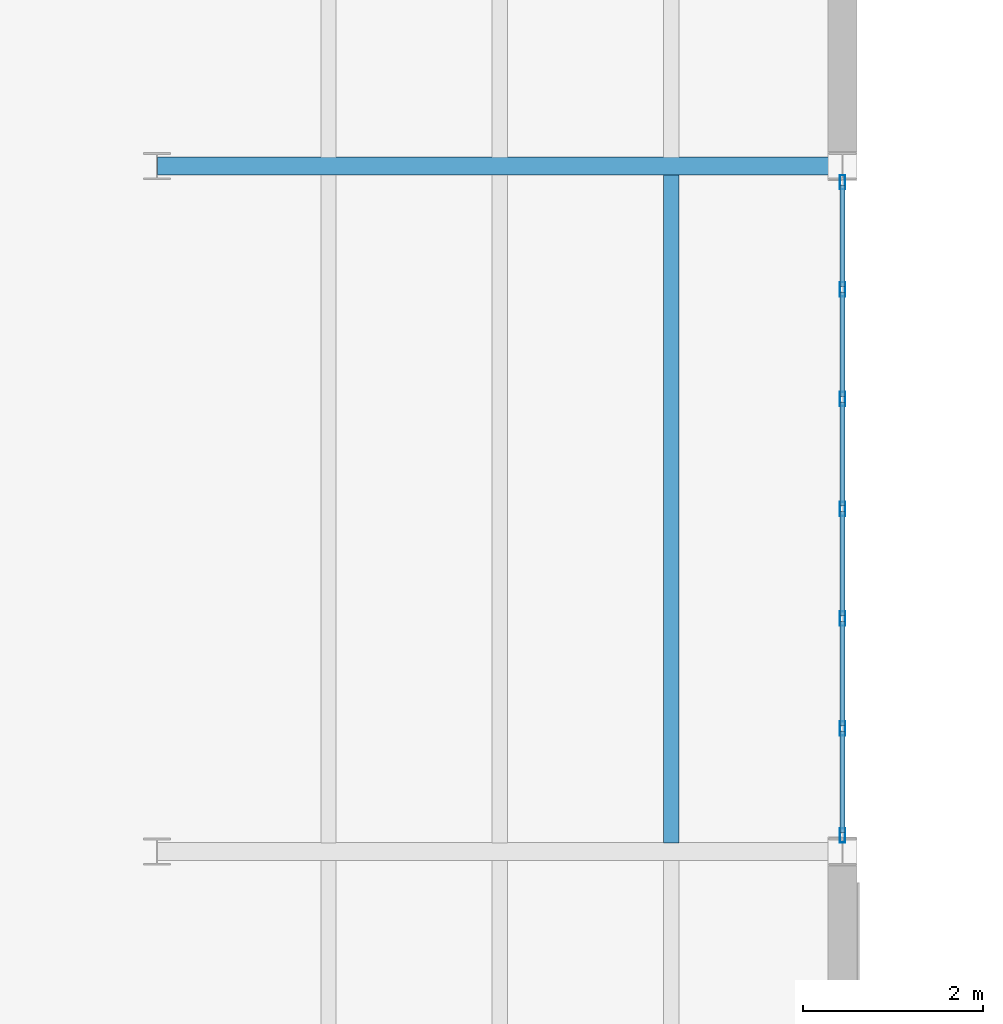
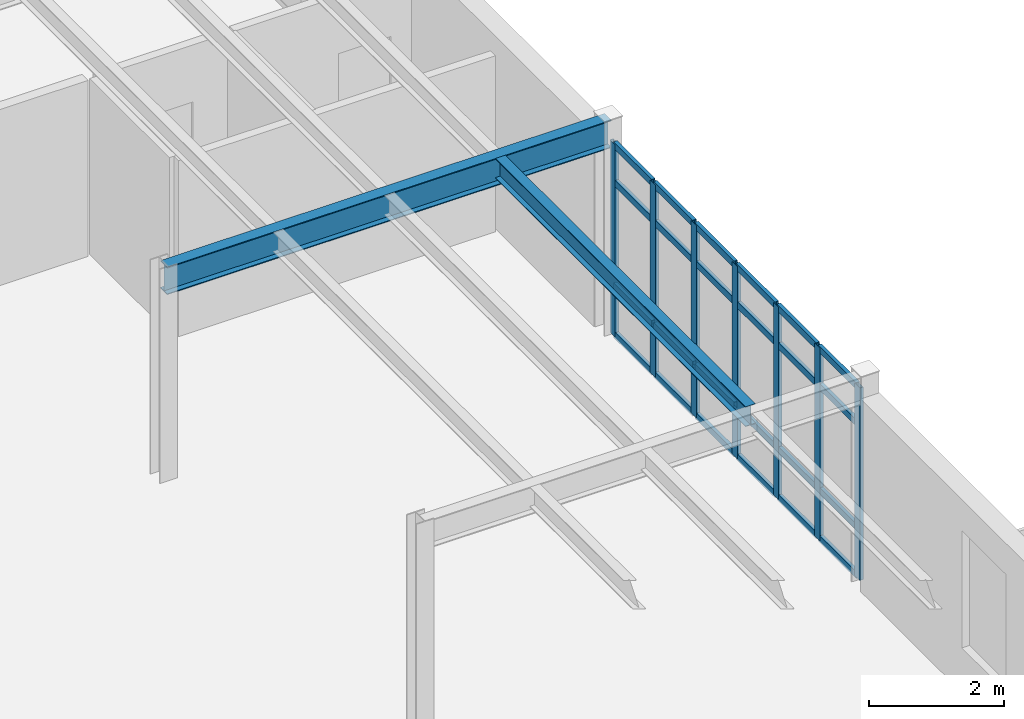
# One storey, part 34 of 114: 31 members, 2 beams, 1 element without a shape of its own.
"""IFC4 building model written with IfcOpenShell, lengths in metres."""

from ifc_helpers import new_model, si_unit, direction, frame, origin, origin_2d, place, context, subcontext, project, spatial, hollow_rectangle, i_section, extrude, material, layer, layer_set, material_profile, profile_set, type_object, element, aggregate, save


model = new_model("IFC4")

# Units and contexts
model_context = context("Model", 3, precision=1e-05, world=origin(), true_north=direction((0.0, 1.0)))
body_context = subcontext(model_context, "Body", "Model", "MODEL_VIEW")
ifc_project = project(units=[si_unit("LENGTHUNIT", "METRE"), si_unit("AREAUNIT", "SQUARE_METRE"), si_unit("VOLUMEUNIT", "CUBIC_METRE"), si_unit("PLANEANGLEUNIT", "RADIAN"), si_unit("MASSUNIT", "GRAM", prefix="KILO")], contexts=[model_context])

# Site, building, storey
site_placement = place(None, origin())
site = spatial("IfcSite", under=ifc_project, at=site_placement, CompositionType="ELEMENT")
building_placement = place(site_placement, origin())
building = spatial("IfcBuilding", under=site, at=building_placement, Name="Montecoro Central Library", CompositionType="ELEMENT")
storey_placement = place(building_placement, frame((0.0, 0.0, 13.260009765625)))
storey = spatial("IfcBuildingStorey", under=building, at=storey_placement, Name="L03", CompositionType="ELEMENT", Elevation=13.260009765625)

# Beams
ifc_material_1 = material(Name="Steel S355", Category="steel")
ifc_material_profile_1 = material_profile(ifc_material_1, i_section(OverallWidth=0.199951171875, OverallDepth=0.5, WebThickness=0.01025390625, FlangeThickness=0.01611328125, at=origin_2d()), Name="IPE 500")
ifc_profile_set_1 = profile_set([ifc_material_profile_1], Name="Steel S355")
beam_type_1 = type_object("IfcBeamType", Name="BM-G-IPE500", PredefinedType="USERDEFINED", material=ifc_profile_set_1)
beam_1_placement = place(storey_placement, frame((35.405029296875, 96.199951171875, 3.574951171875), z_axis=(1.0, 0.0, 0.0), x_axis=(0.0, 1.0, 0.0)))
element("IfcBeam", 1, at=beam_1_placement, inside=storey, type_object=beam_type_1, Name="V4-L03-BX-56-N", ObjectType="GIRDER", PredefinedType="USERDEFINED", context=body_context, shape_type="SweptSolid", body=[
    extrude(i_section(OverallWidth=0.199951171875, OverallDepth=0.5, WebThickness=0.01025390625, FlangeThickness=0.01611328125, at=origin_2d()), origin(), (0.0, 0.0, 1.0), 7.590087890625),
])
ifc_material_profile_2 = material_profile(ifc_material_1, i_section(OverallWidth=0.169921875, OverallDepth=0.360107421875, WebThickness=0.008056640625, FlangeThickness=0.0126953125, at=origin_2d()), Name="IPE 360")
ifc_profile_set_2 = profile_set([ifc_material_profile_2], Name="Steel S355")
beam_type_2 = type_object("IfcBeamType", Name="BM-J-IPE360", PredefinedType="JOIST", material=ifc_profile_set_2)
beam_2_placement = place(storey_placement, frame((41.10009765625, 88.697021484375, 3.64501953125), z_axis=(0.0, 1.0, 0.0), x_axis=(-1.0, 0.0, 0.0)))
element("IfcBeam", 2, at=beam_2_placement, inside=storey, type_object=beam_type_2, Name="V4-L03-JS-56-MN-3", PredefinedType="JOIST", context=body_context, shape_type="SweptSolid", body=[
    extrude(i_section(OverallWidth=0.169921875, OverallDepth=0.360107421875, WebThickness=0.008056640625, FlangeThickness=0.0126953125, at=origin_2d()), origin(), (0.0, 0.0, 1.0), 7.406005859375),
])

# Curtain wall, members
ifc_material_2 = material(Name="Bronze-anodised aluminium and low-E glazing", Category="aluminium")
ifc_layer = layer(ifc_material_2, 0.159912109375)
ifc_layer_set = layer_set([ifc_layer], Name="Bronze-anodised aluminium and low-E glazing")
curtain_wall_type = type_object("IfcCurtainWallType", Name="CWT-050", PredefinedType="NOTDEFINED", material=ifc_layer_set)
curtain_wall_placement = place(storey_placement, origin())
curtain_wall = element("IfcCurtainWall", 3, at=curtain_wall_placement, inside=storey, type_object=curtain_wall_type, Name="V4-L03-CW-E1", PredefinedType="NOTDEFINED")
ifc_material_3 = material(Name="Bronze-anodised aluminium", Category="aluminium")
ifc_material_profile_3 = material_profile(ifc_material_3, hollow_rectangle(XDim=0.06005859375, YDim=0.159912109375, WallThickness=0.00390625, at=origin_2d()), Name="CWM 160x60x4.0")
ifc_profile_set_3 = profile_set([ifc_material_profile_3], Name="Bronze-anodised aluminium")
member_type_1 = type_object("IfcMemberType", Name="CWM-BRZ-60", PredefinedType="MULLION", material=ifc_profile_set_3)
member_1_placement = place(storey_placement, frame((43.0, 88.778076171875, 0.0), z_axis=(0.0, 0.0, 1.0), x_axis=(-1.0, 0.0, 0.0)))
member_1 = element("IfcMember", 4, at=member_1_placement, type_object=member_type_1, Name="CW-050 mullion 1", PredefinedType="MULLION", context=body_context, shape_type="SweptSolid", body=[
    extrude(hollow_rectangle(XDim=0.06005859375, YDim=0.159912109375, WallThickness=0.00390625, at=origin_2d()), origin(), (0.0, 0.0, 1.0), 3.47998046875),
])
member_2_placement = place(storey_placement, frame((43.0, 89.96533203125, 0.0), z_axis=(0.0, 0.0, 1.0), x_axis=(-1.0, 0.0, 0.0)))
member_2 = element("IfcMember", 5, at=member_2_placement, type_object=member_type_1, Name="CW-050 mullion 2", PredefinedType="MULLION", context=body_context, shape_type="SweptSolid", body=[
    extrude(hollow_rectangle(XDim=0.06005859375, YDim=0.159912109375, WallThickness=0.00390625, at=origin_2d()), origin(), (0.0, 0.0, 1.0), 3.47998046875),
])
member_3_placement = place(storey_placement, frame((43.0, 91.1826171875, 0.0), z_axis=(0.0, 0.0, 1.0), x_axis=(-1.0, 0.0, 0.0)))
member_3 = element("IfcMember", 6, at=member_3_placement, type_object=member_type_1, Name="CW-050 mullion 3", PredefinedType="MULLION", context=body_context, shape_type="SweptSolid", body=[
    extrude(hollow_rectangle(XDim=0.06005859375, YDim=0.159912109375, WallThickness=0.00390625, at=origin_2d()), origin(), (0.0, 0.0, 1.0), 3.47998046875),
])
member_4_placement = place(storey_placement, frame((43.0, 92.39990234375, 0.0), z_axis=(0.0, 0.0, 1.0), x_axis=(-1.0, 0.0, 0.0)))
member_4 = element("IfcMember", 7, at=member_4_placement, type_object=member_type_1, Name="CW-050 mullion 4", PredefinedType="MULLION", context=body_context, shape_type="SweptSolid", body=[
    extrude(hollow_rectangle(XDim=0.06005859375, YDim=0.159912109375, WallThickness=0.00390625, at=origin_2d()), origin(), (0.0, 0.0, 1.0), 3.47998046875),
])
member_5_placement = place(storey_placement, frame((43.0, 93.617431640625, 0.0), z_axis=(0.0, 0.0, 1.0), x_axis=(-1.0, 0.0, 0.0)))
member_5 = element("IfcMember", 8, at=member_5_placement, type_object=member_type_1, Name="CW-050 mullion 5", PredefinedType="MULLION", context=body_context, shape_type="SweptSolid", body=[
    extrude(hollow_rectangle(XDim=0.06005859375, YDim=0.159912109375, WallThickness=0.00390625, at=origin_2d()), origin(), (0.0, 0.0, 1.0), 3.47998046875),
])
member_6_placement = place(storey_placement, frame((43.0, 94.834716796875, 0.0), z_axis=(0.0, 0.0, 1.0), x_axis=(-1.0, 0.0, 0.0)))
member_6 = element("IfcMember", 9, at=member_6_placement, type_object=member_type_1, Name="CW-050 mullion 6", PredefinedType="MULLION", context=body_context, shape_type="SweptSolid", body=[
    extrude(hollow_rectangle(XDim=0.06005859375, YDim=0.159912109375, WallThickness=0.00390625, at=origin_2d()), origin(), (0.0, 0.0, 1.0), 3.47998046875),
])
member_7_placement = place(storey_placement, frame((43.0, 96.02197265625, 0.0), z_axis=(0.0, 0.0, 1.0), x_axis=(-1.0, 0.0, 0.0)))
member_7 = element("IfcMember", 10, at=member_7_placement, type_object=member_type_1, Name="CW-050 mullion 7", PredefinedType="MULLION", context=body_context, shape_type="SweptSolid", body=[
    extrude(hollow_rectangle(XDim=0.06005859375, YDim=0.159912109375, WallThickness=0.00390625, at=origin_2d()), origin(), (0.0, 0.0, 1.0), 3.47998046875),
])
ifc_material_profile_4 = material_profile(ifc_material_3, hollow_rectangle(XDim=0.06005859375, YDim=0.1201171875, WallThickness=0.00390625, at=origin_2d()), Name="CWT 120x60x4.0")
ifc_profile_set_4 = profile_set([ifc_material_profile_4], Name="Bronze-anodised aluminium")
member_type_2 = type_object("IfcMemberType", Name="CWT-BRZ-60", PredefinedType="USERDEFINED", material=ifc_profile_set_4)
member_8_placement = place(storey_placement, frame((43.0, 88.80810546875, 0.030029296875), z_axis=(0.0, 1.0, 0.0), x_axis=(-1.0, 0.0, 0.0)))
member_8 = element("IfcMember", 11, at=member_8_placement, type_object=member_type_2, Name="CW-050 transom 1.1", ObjectType="TRANSOM", PredefinedType="USERDEFINED", context=body_context, shape_type="SweptSolid", body=[
    extrude(hollow_rectangle(XDim=0.06005859375, YDim=0.1201171875, WallThickness=0.00390625, at=origin_2d()), origin(), (0.0, 0.0, 1.0), 1.127197265625),
])
member_9_placement = place(storey_placement, frame((43.0, 88.80810546875, 0.89990234375), z_axis=(0.0, 1.0, 0.0), x_axis=(-1.0, 0.0, 0.0)))
member_9 = element("IfcMember", 12, at=member_9_placement, type_object=member_type_2, Name="CW-050 transom 1.2", ObjectType="TRANSOM", PredefinedType="USERDEFINED", context=body_context, shape_type="SweptSolid", body=[
    extrude(hollow_rectangle(XDim=0.06005859375, YDim=0.1201171875, WallThickness=0.00390625, at=origin_2d()), origin(), (0.0, 0.0, 1.0), 1.127197265625),
])
member_10_placement = place(storey_placement, frame((43.0, 88.80810546875, 2.780029296875), z_axis=(0.0, 1.0, 0.0), x_axis=(-1.0, 0.0, 0.0)))
member_10 = element("IfcMember", 13, at=member_10_placement, type_object=member_type_2, Name="CW-050 transom 1.3", ObjectType="TRANSOM", PredefinedType="USERDEFINED", context=body_context, shape_type="SweptSolid", body=[
    extrude(hollow_rectangle(XDim=0.06005859375, YDim=0.1201171875, WallThickness=0.00390625, at=origin_2d()), origin(), (0.0, 0.0, 1.0), 1.127197265625),
])
member_11_placement = place(storey_placement, frame((43.0, 88.80810546875, 3.449951171875), z_axis=(0.0, 1.0, 0.0), x_axis=(-1.0, 0.0, 0.0)))
member_11 = element("IfcMember", 14, at=member_11_placement, type_object=member_type_2, Name="CW-050 transom 1.4", ObjectType="TRANSOM", PredefinedType="USERDEFINED", context=body_context, shape_type="SweptSolid", body=[
    extrude(hollow_rectangle(XDim=0.06005859375, YDim=0.1201171875, WallThickness=0.00390625, at=origin_2d()), origin(), (0.0, 0.0, 1.0), 1.127197265625),
])
member_12_placement = place(storey_placement, frame((43.0, 89.995361328125, 0.030029296875), z_axis=(0.0, 1.0, 0.0), x_axis=(-1.0, 0.0, 0.0)))
member_12 = element("IfcMember", 15, at=member_12_placement, type_object=member_type_2, Name="CW-050 transom 2.1", ObjectType="TRANSOM", PredefinedType="USERDEFINED", context=body_context, shape_type="SweptSolid", body=[
    extrude(hollow_rectangle(XDim=0.06005859375, YDim=0.1201171875, WallThickness=0.00390625, at=origin_2d()), origin(), (0.0, 0.0, 1.0), 1.1572265625),
])
member_13_placement = place(storey_placement, frame((43.0, 89.995361328125, 0.89990234375), z_axis=(0.0, 1.0, 0.0), x_axis=(-1.0, 0.0, 0.0)))
member_13 = element("IfcMember", 16, at=member_13_placement, type_object=member_type_2, Name="CW-050 transom 2.2", ObjectType="TRANSOM", PredefinedType="USERDEFINED", context=body_context, shape_type="SweptSolid", body=[
    extrude(hollow_rectangle(XDim=0.06005859375, YDim=0.1201171875, WallThickness=0.00390625, at=origin_2d()), origin(), (0.0, 0.0, 1.0), 1.1572265625),
])
member_14_placement = place(storey_placement, frame((43.0, 89.995361328125, 2.780029296875), z_axis=(0.0, 1.0, 0.0), x_axis=(-1.0, 0.0, 0.0)))
member_14 = element("IfcMember", 17, at=member_14_placement, type_object=member_type_2, Name="CW-050 transom 2.3", ObjectType="TRANSOM", PredefinedType="USERDEFINED", context=body_context, shape_type="SweptSolid", body=[
    extrude(hollow_rectangle(XDim=0.06005859375, YDim=0.1201171875, WallThickness=0.00390625, at=origin_2d()), origin(), (0.0, 0.0, 1.0), 1.1572265625),
])
member_15_placement = place(storey_placement, frame((43.0, 89.995361328125, 3.449951171875), z_axis=(0.0, 1.0, 0.0), x_axis=(-1.0, 0.0, 0.0)))
member_15 = element("IfcMember", 18, at=member_15_placement, type_object=member_type_2, Name="CW-050 transom 2.4", ObjectType="TRANSOM", PredefinedType="USERDEFINED", context=body_context, shape_type="SweptSolid", body=[
    extrude(hollow_rectangle(XDim=0.06005859375, YDim=0.1201171875, WallThickness=0.00390625, at=origin_2d()), origin(), (0.0, 0.0, 1.0), 1.1572265625),
])
member_16_placement = place(storey_placement, frame((43.0, 91.212646484375, 0.030029296875), z_axis=(0.0, 1.0, 0.0), x_axis=(-1.0, 0.0, 0.0)))
member_16 = element("IfcMember", 19, at=member_16_placement, type_object=member_type_2, Name="CW-050 transom 3.1", ObjectType="TRANSOM", PredefinedType="USERDEFINED", context=body_context, shape_type="SweptSolid", body=[
    extrude(hollow_rectangle(XDim=0.06005859375, YDim=0.1201171875, WallThickness=0.00390625, at=origin_2d()), origin(), (0.0, 0.0, 1.0), 1.157470703125),
])
member_17_placement = place(storey_placement, frame((43.0, 91.212646484375, 0.89990234375), z_axis=(0.0, 1.0, 0.0), x_axis=(-1.0, 0.0, 0.0)))
member_17 = element("IfcMember", 20, at=member_17_placement, type_object=member_type_2, Name="CW-050 transom 3.2", ObjectType="TRANSOM", PredefinedType="USERDEFINED", context=body_context, shape_type="SweptSolid", body=[
    extrude(hollow_rectangle(XDim=0.06005859375, YDim=0.1201171875, WallThickness=0.00390625, at=origin_2d()), origin(), (0.0, 0.0, 1.0), 1.157470703125),
])
member_18_placement = place(storey_placement, frame((43.0, 91.212646484375, 2.780029296875), z_axis=(0.0, 1.0, 0.0), x_axis=(-1.0, 0.0, 0.0)))
member_18 = element("IfcMember", 21, at=member_18_placement, type_object=member_type_2, Name="CW-050 transom 3.3", ObjectType="TRANSOM", PredefinedType="USERDEFINED", context=body_context, shape_type="SweptSolid", body=[
    extrude(hollow_rectangle(XDim=0.06005859375, YDim=0.1201171875, WallThickness=0.00390625, at=origin_2d()), origin(), (0.0, 0.0, 1.0), 1.157470703125),
])
member_19_placement = place(storey_placement, frame((43.0, 91.212646484375, 3.449951171875), z_axis=(0.0, 1.0, 0.0), x_axis=(-1.0, 0.0, 0.0)))
member_19 = element("IfcMember", 22, at=member_19_placement, type_object=member_type_2, Name="CW-050 transom 3.4", ObjectType="TRANSOM", PredefinedType="USERDEFINED", context=body_context, shape_type="SweptSolid", body=[
    extrude(hollow_rectangle(XDim=0.06005859375, YDim=0.1201171875, WallThickness=0.00390625, at=origin_2d()), origin(), (0.0, 0.0, 1.0), 1.157470703125),
])
member_20_placement = place(storey_placement, frame((43.0, 92.429931640625, 0.030029296875), z_axis=(0.0, 1.0, 0.0), x_axis=(-1.0, 0.0, 0.0)))
member_20 = element("IfcMember", 23, at=member_20_placement, type_object=member_type_2, Name="CW-050 transom 4.1", ObjectType="TRANSOM", PredefinedType="USERDEFINED", context=body_context, shape_type="SweptSolid", body=[
    extrude(hollow_rectangle(XDim=0.06005859375, YDim=0.1201171875, WallThickness=0.00390625, at=origin_2d()), origin(), (0.0, 0.0, 1.0), 1.157470703125),
])
member_21_placement = place(storey_placement, frame((43.0, 92.429931640625, 0.89990234375), z_axis=(0.0, 1.0, 0.0), x_axis=(-1.0, 0.0, 0.0)))
member_21 = element("IfcMember", 24, at=member_21_placement, type_object=member_type_2, Name="CW-050 transom 4.2", ObjectType="TRANSOM", PredefinedType="USERDEFINED", context=body_context, shape_type="SweptSolid", body=[
    extrude(hollow_rectangle(XDim=0.06005859375, YDim=0.1201171875, WallThickness=0.00390625, at=origin_2d()), origin(), (0.0, 0.0, 1.0), 1.157470703125),
])
member_22_placement = place(storey_placement, frame((43.0, 92.429931640625, 2.780029296875), z_axis=(0.0, 1.0, 0.0), x_axis=(-1.0, 0.0, 0.0)))
member_22 = element("IfcMember", 25, at=member_22_placement, type_object=member_type_2, Name="CW-050 transom 4.3", ObjectType="TRANSOM", PredefinedType="USERDEFINED", context=body_context, shape_type="SweptSolid", body=[
    extrude(hollow_rectangle(XDim=0.06005859375, YDim=0.1201171875, WallThickness=0.00390625, at=origin_2d()), origin(), (0.0, 0.0, 1.0), 1.157470703125),
])
member_23_placement = place(storey_placement, frame((43.0, 92.429931640625, 3.449951171875), z_axis=(0.0, 1.0, 0.0), x_axis=(-1.0, 0.0, 0.0)))
member_23 = element("IfcMember", 26, at=member_23_placement, type_object=member_type_2, Name="CW-050 transom 4.4", ObjectType="TRANSOM", PredefinedType="USERDEFINED", context=body_context, shape_type="SweptSolid", body=[
    extrude(hollow_rectangle(XDim=0.06005859375, YDim=0.1201171875, WallThickness=0.00390625, at=origin_2d()), origin(), (0.0, 0.0, 1.0), 1.157470703125),
])
member_24_placement = place(storey_placement, frame((43.0, 93.647216796875, 0.030029296875), z_axis=(0.0, 1.0, 0.0), x_axis=(-1.0, 0.0, 0.0)))
member_24 = element("IfcMember", 27, at=member_24_placement, type_object=member_type_2, Name="CW-050 transom 5.1", ObjectType="TRANSOM", PredefinedType="USERDEFINED", context=body_context, shape_type="SweptSolid", body=[
    extrude(hollow_rectangle(XDim=0.06005859375, YDim=0.1201171875, WallThickness=0.00390625, at=origin_2d()), origin(), (0.0, 0.0, 1.0), 1.157470703125),
])
member_25_placement = place(storey_placement, frame((43.0, 93.647216796875, 0.89990234375), z_axis=(0.0, 1.0, 0.0), x_axis=(-1.0, 0.0, 0.0)))
member_25 = element("IfcMember", 28, at=member_25_placement, type_object=member_type_2, Name="CW-050 transom 5.2", ObjectType="TRANSOM", PredefinedType="USERDEFINED", context=body_context, shape_type="SweptSolid", body=[
    extrude(hollow_rectangle(XDim=0.06005859375, YDim=0.1201171875, WallThickness=0.00390625, at=origin_2d()), origin(), (0.0, 0.0, 1.0), 1.157470703125),
])
member_26_placement = place(storey_placement, frame((43.0, 93.647216796875, 2.780029296875), z_axis=(0.0, 1.0, 0.0), x_axis=(-1.0, 0.0, 0.0)))
member_26 = element("IfcMember", 29, at=member_26_placement, type_object=member_type_2, Name="CW-050 transom 5.3", ObjectType="TRANSOM", PredefinedType="USERDEFINED", context=body_context, shape_type="SweptSolid", body=[
    extrude(hollow_rectangle(XDim=0.06005859375, YDim=0.1201171875, WallThickness=0.00390625, at=origin_2d()), origin(), (0.0, 0.0, 1.0), 1.157470703125),
])
member_27_placement = place(storey_placement, frame((43.0, 93.647216796875, 3.449951171875), z_axis=(0.0, 1.0, 0.0), x_axis=(-1.0, 0.0, 0.0)))
member_27 = element("IfcMember", 30, at=member_27_placement, type_object=member_type_2, Name="CW-050 transom 5.4", ObjectType="TRANSOM", PredefinedType="USERDEFINED", context=body_context, shape_type="SweptSolid", body=[
    extrude(hollow_rectangle(XDim=0.06005859375, YDim=0.1201171875, WallThickness=0.00390625, at=origin_2d()), origin(), (0.0, 0.0, 1.0), 1.157470703125),
])
member_28_placement = place(storey_placement, frame((43.0, 94.86474609375, 0.030029296875), z_axis=(0.0, 1.0, 0.0), x_axis=(-1.0, 0.0, 0.0)))
member_28 = element("IfcMember", 31, at=member_28_placement, type_object=member_type_2, Name="CW-050 transom 6.1", ObjectType="TRANSOM", PredefinedType="USERDEFINED", context=body_context, shape_type="SweptSolid", body=[
    extrude(hollow_rectangle(XDim=0.06005859375, YDim=0.1201171875, WallThickness=0.00390625, at=origin_2d()), origin(), (0.0, 0.0, 1.0), 1.127197265625),
])
member_29_placement = place(storey_placement, frame((43.0, 94.86474609375, 0.89990234375), z_axis=(0.0, 1.0, 0.0), x_axis=(-1.0, 0.0, 0.0)))
member_29 = element("IfcMember", 32, at=member_29_placement, type_object=member_type_2, Name="CW-050 transom 6.2", ObjectType="TRANSOM", PredefinedType="USERDEFINED", context=body_context, shape_type="SweptSolid", body=[
    extrude(hollow_rectangle(XDim=0.06005859375, YDim=0.1201171875, WallThickness=0.00390625, at=origin_2d()), origin(), (0.0, 0.0, 1.0), 1.127197265625),
])
member_30_placement = place(storey_placement, frame((43.0, 94.86474609375, 2.780029296875), z_axis=(0.0, 1.0, 0.0), x_axis=(-1.0, 0.0, 0.0)))
member_30 = element("IfcMember", 33, at=member_30_placement, type_object=member_type_2, Name="CW-050 transom 6.3", ObjectType="TRANSOM", PredefinedType="USERDEFINED", context=body_context, shape_type="SweptSolid", body=[
    extrude(hollow_rectangle(XDim=0.06005859375, YDim=0.1201171875, WallThickness=0.00390625, at=origin_2d()), origin(), (0.0, 0.0, 1.0), 1.127197265625),
])
member_31_placement = place(storey_placement, frame((43.0, 94.86474609375, 3.449951171875), z_axis=(0.0, 1.0, 0.0), x_axis=(-1.0, 0.0, 0.0)))
member_31 = element("IfcMember", 34, at=member_31_placement, type_object=member_type_2, Name="CW-050 transom 6.4", ObjectType="TRANSOM", PredefinedType="USERDEFINED", context=body_context, shape_type="SweptSolid", body=[
    extrude(hollow_rectangle(XDim=0.06005859375, YDim=0.1201171875, WallThickness=0.00390625, at=origin_2d()), origin(), (0.0, 0.0, 1.0), 1.127197265625),
])
aggregate(curtain_wall, [member_1, member_2, member_3, member_4, member_5, member_6, member_7, member_8, member_9, member_10, member_11, member_12, member_13, member_14, member_15, member_16, member_17, member_18, member_19, member_20, member_21, member_22, member_23, member_24, member_25, member_26, member_27, member_28, member_29, member_30, member_31])

save(model, "model.ifc")
